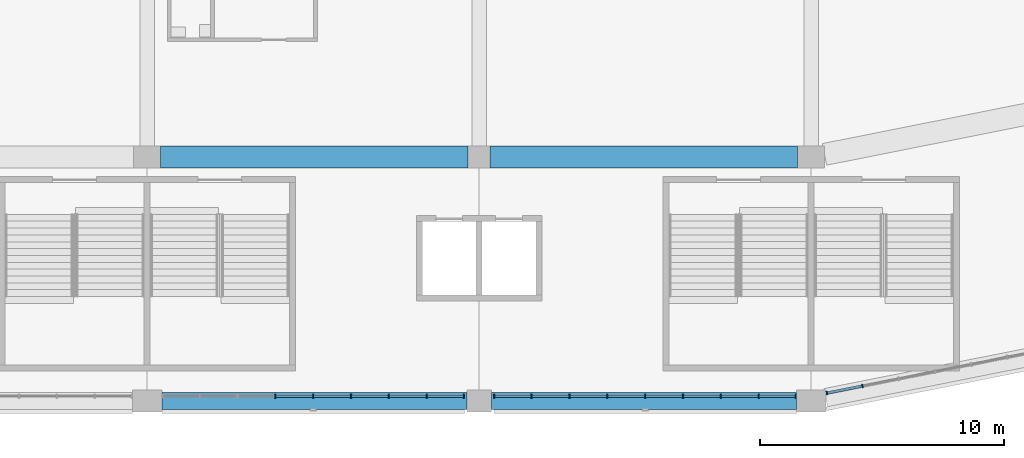
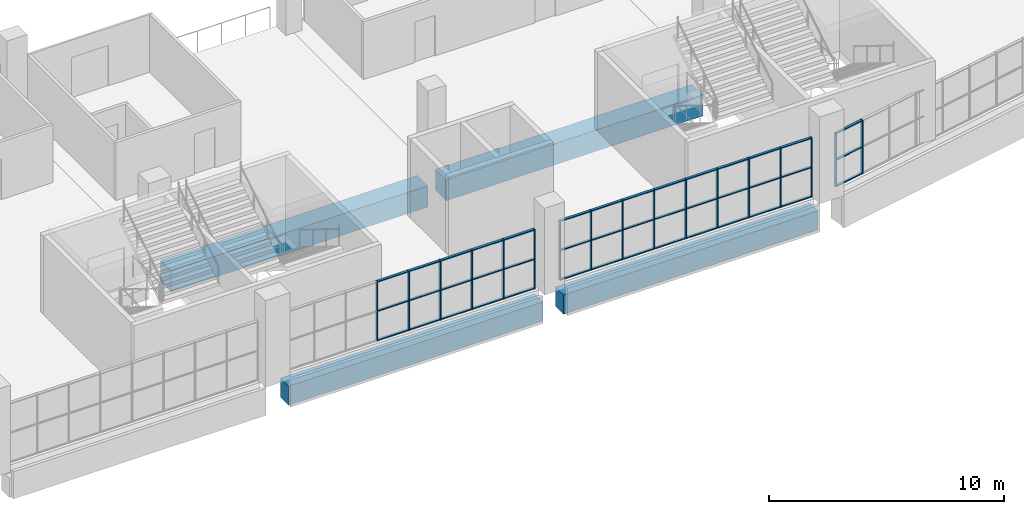
# One storey, part 14 of 199: 59 members, 4 beams, 3 elements without a shape of their own.
"""IFC4 building model written with IfcOpenShell, lengths in metres."""

import ifcopenshell
import ifcopenshell.guid

model = None  # the IFC model being written
_history = None  # IfcOwnerHistory: only IFC2X3 demands one
_inside = {}  # id of a spatial element -> (the spatial element, [elements in it])
_under = {}  # id of a project, library or spatial element -> (it, [spatial elements below it])
_declared = {}  # id of a project -> (the project, [libraries it declares])
_typed = {}  # id of a type object -> (the type object, [elements of that type])
_made_of = {}  # id of a material, layer set ... -> (it, [elements and type objects made of it])


def new_model(schema):
    """Start an empty IFC model of exactly this schema.

    Asked for "IFC4X3", IfcOpenShell would pick the latest addendum, in which some entities
    have other attributes; the version numbers below select the first issue.
    IFC2X3 requires an IfcOwnerHistory on every rooted entity: one is made here for all.
    """
    global model, _history
    if schema == "IFC4X3":
        model = ifcopenshell.file(schema_version=(4, 3, 0, 0))
    else:
        model = ifcopenshell.file(schema=schema)
    _inside.clear()
    _under.clear()
    _declared.clear()
    _typed.clear()
    _made_of.clear()
    _history = None
    if model.schema == "IFC2X3":
        org = make("IfcOrganization", Name="unknown")
        user = make(
            "IfcPersonAndOrganization",
            ThePerson=make("IfcPerson", FamilyName="unknown"),
            TheOrganization=org,
        )
        app = make(
            "IfcApplication",
            ApplicationDeveloper=org,
            Version="unknown",
            ApplicationFullName="unknown",
            ApplicationIdentifier="unknown",
        )
        _history = make(
            "IfcOwnerHistory",
            OwningUser=user,
            OwningApplication=app,
            ChangeAction="ADDED",
            CreationDate=0,
        )
    return model


def make(cls, **values):
    """One entity of the class cls with the attributes given. An attribute that is None is left unset."""
    return model.create_entity(
        cls, **{name: value for name, value in values.items() if value is not None}
    )


def rooted(cls, **values):
    """An entity with a GlobalId (a new one), such as an element, a storey or a relation."""
    return make(cls, GlobalId=ifcopenshell.guid.new(), OwnerHistory=_history, **values)


def si_unit(unit_type, name, prefix=None):
    """IfcSIUnit, for example si_unit("LENGTHUNIT", "METRE", prefix="MILLI")."""
    return make("IfcSIUnit", UnitType=unit_type, Prefix=prefix, Name=name)


def assignment(units):
    """IfcUnitAssignment: the units of a project."""
    return None if units is None else make("IfcUnitAssignment", Units=units)


def point(xyz):
    """IfcCartesianPoint."""
    return None if xyz is None else make("IfcCartesianPoint", Coordinates=xyz)


def direction(xyz):
    """IfcDirection."""
    return None if xyz is None else make("IfcDirection", DirectionRatios=xyz)


def frame(location, z_axis=None, x_axis=None):
    """IfcAxis2Placement3D, a coordinate frame: its origin and axes. An axis left out is left unset."""
    return make(
        "IfcAxis2Placement3D",
        Location=point(location),
        Axis=direction(z_axis),
        RefDirection=direction(x_axis),
    )


def frame_2d(location, x_axis=None):
    """IfcAxis2Placement2D, a coordinate frame in the plane: its origin and x axis."""
    return make(
        "IfcAxis2Placement2D", Location=point(location), RefDirection=direction(x_axis)
    )


def origin():
    """The frame at (0, 0, 0) with its axes left unset."""
    return frame((0.0, 0.0, 0.0))


def origin_2d():
    """The frame at (0, 0) in the plane with its x axis left unset."""
    return frame_2d((0.0, 0.0))


def place(relative_to, where):
    """IfcLocalPlacement: puts the frame where relative to a parent placement (None: the world)."""
    return make(
        "IfcLocalPlacement", PlacementRelTo=relative_to, RelativePlacement=where
    )


def context(
    kind, dimensions, precision=None, world=None, true_north=None, identifier=None
):
    """IfcGeometricRepresentationContext, for example the 3D "Model" context."""
    return make(
        "IfcGeometricRepresentationContext",
        ContextIdentifier=identifier,
        ContextType=kind,
        CoordinateSpaceDimension=dimensions,
        Precision=precision,
        WorldCoordinateSystem=world,
        TrueNorth=true_north,
    )


def subcontext(parent, identifier, kind, view, scale=None):
    """IfcGeometricRepresentationSubContext, for example "Body" below "Model"."""
    return make(
        "IfcGeometricRepresentationSubContext",
        ContextIdentifier=identifier,
        ContextType=kind,
        ParentContext=parent,
        TargetScale=scale,
        TargetView=view,
    )


def project(units=None, contexts=None):
    """IfcProject with its units and contexts."""
    return rooted(
        "IfcProject",
        Name="project",
        RepresentationContexts=contexts,
        UnitsInContext=assignment(units),
    )


def spatial(cls, under=None, at=None, **own):
    """A site, building, storey or space (cls), placed at a placement, below another one or the project."""
    s = rooted(cls, ObjectPlacement=at, **own)
    if under is not None:
        _under.setdefault(under.id(), (under, []))[1].append(s)
    return s


def profile(cls, at=None, kind="AREA", **sizes):
    """A parametric profile (cls). Its sizes go by their IFC names, for example OverallWidth=200.0."""
    return make(cls, ProfileType=kind, Position=at, **sizes)


def rectangle(**sizes):
    """IfcRectangleProfileDef."""
    return profile("IfcRectangleProfileDef", **sizes)


def extrude(swept, where, along, depth):
    """IfcExtrudedAreaSolid: the profile swept, set in the frame where, extruded along a direction by depth."""
    return make(
        "IfcExtrudedAreaSolid",
        SweptArea=swept,
        Position=where,
        ExtrudedDirection=direction(along),
        Depth=depth,
    )


def shape(context_of_items, identifier, shape_type, items):
    """IfcShapeRepresentation: the items that make up one representation, for example the "Body"."""
    return make(
        "IfcShapeRepresentation",
        ContextOfItems=context_of_items,
        RepresentationIdentifier=identifier,
        RepresentationType=shape_type,
        Items=items,
    )


def material(Name=None, Category=None):
    """IfcMaterial."""
    return make("IfcMaterial", Name=Name, Category=Category)


def material_profile(
    of_material, cross_section, Name=None, Category=None, Priority=None
):
    """IfcMaterialProfile: a cross section and its material."""
    return make(
        "IfcMaterialProfile",
        Name=Name,
        Material=of_material,
        Profile=cross_section,
        Priority=Priority,
        Category=Category,
    )


def profile_set(profiles, Name=None, composite=None):
    """IfcMaterialProfileSet."""
    return make(
        "IfcMaterialProfileSet",
        Name=Name,
        MaterialProfiles=profiles,
        CompositeProfile=composite,
    )


def made_of(thing, what):
    """Note that an element or type object is made of a material, layer set ...; save() writes the relation."""
    if what is not None:
        _made_of.setdefault(what.id(), (what, []))[1].append(thing)
    return thing


def type_object(cls, material=None, **own):
    """A type object (cls), such as IfcWallType, which elements share."""
    return made_of(rooted(cls, **own), material)


def element(
    cls,
    number,
    at=None,
    inside=None,
    cuts=None,
    type_object=None,
    material=None,
    context=None,
    identifier="Body",
    shape_type=None,
    held_by="IfcProductDefinitionShape",
    body=None,
    shapes=None,
    **own,
):
    """One element of the class cls, such as IfcWall. Its Tag is "e" and its number.

    at: its placement. inside: the storey or other place that contains it. cuts: it is an
    opening in that element (IfcRelVoidsElement). A single representation is given by context,
    identifier, shape_type and body (its items); several are given by shapes. held_by: the class
    of the entity that holds the representations. save() writes the other relations.
    """
    e = rooted(cls, Tag="e%d" % number, ObjectPlacement=at, **own)
    if body is not None:
        shapes = [shape(context, identifier, shape_type, body)]
    if shapes is not None:
        e.Representation = make(held_by, Representations=shapes)
    if inside is not None:
        _inside.setdefault(inside.id(), (inside, []))[1].append(e)
    if cuts is not None:
        rooted(
            "IfcRelVoidsElement", RelatingBuildingElement=cuts, RelatedOpeningElement=e
        )
    if type_object is not None:
        _typed.setdefault(type_object.id(), (type_object, []))[1].append(e)
    return made_of(e, material)


def aggregate(whole, parts):
    """IfcRelAggregates: a whole, such as a stair, and the parts it consists of."""
    return rooted("IfcRelAggregates", RelatingObject=whole, RelatedObjects=parts)


def save(model, path):
    """Write the relations noted so far, then the file.

    IfcRelAggregates (storeys below a building ...), IfcRelContainedInSpatialStructure (elements
    in a storey), IfcRelDefinesByType, IfcRelAssociatesMaterial and IfcRelDeclares: one each for
    every whole, place, type object, material and project.
    """
    for whole, parts in _under.values():
        aggregate(whole, parts)
    for where, things in _inside.values():
        rooted(
            "IfcRelContainedInSpatialStructure",
            RelatedElements=things,
            RelatingStructure=where,
        )
    for kind, things in _typed.values():
        rooted("IfcRelDefinesByType", RelatedObjects=things, RelatingType=kind)
    for what, things in _made_of.values():
        rooted("IfcRelAssociatesMaterial", RelatedObjects=things, RelatingMaterial=what)
    for by, libraries in _declared.values():
        rooted("IfcRelDeclares", RelatingContext=by, RelatedDefinitions=libraries)
    model.write(path)


model = new_model("IFC4")

# Units and contexts
model_context = context("Model", 3, precision=1e-05, world=origin(), true_north=direction((0.0, 1.0)))
body_context = subcontext(model_context, "Body", "Model", "MODEL_VIEW")
ifc_project = project(units=[si_unit("LENGTHUNIT", "METRE"), si_unit("AREAUNIT", "SQUARE_METRE"), si_unit("VOLUMEUNIT", "CUBIC_METRE"), si_unit("PLANEANGLEUNIT", "RADIAN"), si_unit("MASSUNIT", "GRAM", prefix="KILO")], contexts=[model_context])

# Site, building, storey
site_placement = place(None, origin())
site = spatial("IfcSite", under=ifc_project, at=site_placement, CompositionType="ELEMENT")
building_placement = place(site_placement, origin())
building = spatial("IfcBuilding", under=site, at=building_placement, Name="Ogive Plaza Stadium", CompositionType="ELEMENT")
storey_placement = place(building_placement, frame((0.0, 0.0, 9.0)))
storey = spatial("IfcBuildingStorey", under=building, at=storey_placement, Name="L02", CompositionType="ELEMENT", Elevation=9.0)

# Curtain wall, members
ifc_material_1 = material(Name="Bronze-anodised aluminium with laminated glass", Category="aluminium")
curtain_wall_type = type_object("IfcCurtainWallType", Name="Lancet curtain wall", PredefinedType="NOTDEFINED", material=ifc_material_1)
curtain_wall_1_placement = place(storey_placement, origin())
curtain_wall_1 = element("IfcCurtainWall", 1, at=curtain_wall_1_placement, inside=storey, type_object=curtain_wall_type, Name="CURTAIN WALL B11 L02", PredefinedType="NOTDEFINED")
ifc_material_2 = material(Name="Bronze-anodised aluminium", Category="aluminium")
ifc_material_profile_1 = material_profile(ifc_material_2, rectangle(XDim=0.14990234375, YDim=0.050048828125, at=origin_2d()), Name="AL 150x50")
ifc_profile_set_1 = profile_set([ifc_material_profile_1], Name="Bronze-anodised aluminium")
member_type_1 = type_object("IfcMemberType", Name="Curtain wall mullion 50x150", PredefinedType="MULLION", material=ifc_profile_set_1)
member_1_placement = place(storey_placement, frame((36.104248046875, -101.87744140625, 0.0), z_axis=(0.0, 0.0, 1.0), x_axis=(0.195090322016, -0.980785280403, 0.0)))
member_1 = element("IfcMember", 2, at=member_1_placement, type_object=member_type_1, Name="CW-B11-L02 mullion 12", PredefinedType="MULLION", context=body_context, shape_type="SweptSolid", body=[
    extrude(rectangle(XDim=0.14990234375, YDim=0.050048828125, at=origin_2d()), origin(), (0.0, 0.0, 1.0), 2.7900390625),
])
member_2_placement = place(storey_placement, frame((34.64404296875, -102.16796875, 0.0), z_axis=(0.0, 0.0, 1.0), x_axis=(0.195090322016, -0.980785280403, 0.0)))
member_2 = element("IfcMember", 3, at=member_2_placement, type_object=member_type_1, Name="CW-B11-L02 mullion 13", PredefinedType="MULLION", context=body_context, shape_type="SweptSolid", body=[
    extrude(rectangle(XDim=0.14990234375, YDim=0.050048828125, at=origin_2d()), origin(), (0.0, 0.0, 1.0), 2.7900390625),
])

curtain_wall_2_placement = place(storey_placement, origin())
curtain_wall_2 = element("IfcCurtainWall", 4, at=curtain_wall_2_placement, inside=storey, type_object=curtain_wall_type, Name="CURTAIN WALL B12 L02", PredefinedType="NOTDEFINED")
member_3_placement = place(storey_placement, frame((33.375, -102.300048828125, 0.0), z_axis=(0.0, 0.0, 1.0), x_axis=(0.0, -1.0, 0.0)))
member_3 = element("IfcMember", 5, at=member_3_placement, type_object=member_type_1, Name="CW-B12-L02 mullion 1", PredefinedType="MULLION", context=body_context, shape_type="SweptSolid", body=[
    extrude(rectangle(XDim=0.14990234375, YDim=0.050048828125, at=origin_2d()), origin(), (0.0, 0.0, 1.0), 3.090087890625),
])
member_4_placement = place(storey_placement, frame((31.85009765625, -102.300048828125, 0.0), z_axis=(0.0, 0.0, 1.0), x_axis=(0.0, -1.0, 0.0)))
member_4 = element("IfcMember", 6, at=member_4_placement, type_object=member_type_1, Name="CW-B12-L02 mullion 2", PredefinedType="MULLION", context=body_context, shape_type="SweptSolid", body=[
    extrude(rectangle(XDim=0.14990234375, YDim=0.050048828125, at=origin_2d()), origin(), (0.0, 0.0, 1.0), 3.090087890625),
])
member_5_placement = place(storey_placement, frame((30.300048828125, -102.300048828125, 0.0), z_axis=(0.0, 0.0, 1.0), x_axis=(0.0, -1.0, 0.0)))
member_5 = element("IfcMember", 7, at=member_5_placement, type_object=member_type_1, Name="CW-B12-L02 mullion 3", PredefinedType="MULLION", context=body_context, shape_type="SweptSolid", body=[
    extrude(rectangle(XDim=0.14990234375, YDim=0.050048828125, at=origin_2d()), origin(), (0.0, 0.0, 1.0), 3.090087890625),
])
member_6_placement = place(storey_placement, frame((28.75, -102.300048828125, 0.0), z_axis=(0.0, 0.0, 1.0), x_axis=(0.0, -1.0, 0.0)))
member_6 = element("IfcMember", 8, at=member_6_placement, type_object=member_type_1, Name="CW-B12-L02 mullion 4", PredefinedType="MULLION", context=body_context, shape_type="SweptSolid", body=[
    extrude(rectangle(XDim=0.14990234375, YDim=0.050048828125, at=origin_2d()), origin(), (0.0, 0.0, 1.0), 3.090087890625),
])
member_7_placement = place(storey_placement, frame((27.199951171875, -102.300048828125, 0.0), z_axis=(0.0, 0.0, 1.0), x_axis=(0.0, -1.0, 0.0)))
member_7 = element("IfcMember", 9, at=member_7_placement, type_object=member_type_1, Name="CW-B12-L02 mullion 5", PredefinedType="MULLION", context=body_context, shape_type="SweptSolid", body=[
    extrude(rectangle(XDim=0.14990234375, YDim=0.050048828125, at=origin_2d()), origin(), (0.0, 0.0, 1.0), 3.090087890625),
])
member_8_placement = place(storey_placement, frame((25.64990234375, -102.300048828125, 0.0), z_axis=(0.0, 0.0, 1.0), x_axis=(0.0, -1.0, 0.0)))
member_8 = element("IfcMember", 10, at=member_8_placement, type_object=member_type_1, Name="CW-B12-L02 mullion 6", PredefinedType="MULLION", context=body_context, shape_type="SweptSolid", body=[
    extrude(rectangle(XDim=0.14990234375, YDim=0.050048828125, at=origin_2d()), origin(), (0.0, 0.0, 1.0), 3.090087890625),
])
member_9_placement = place(storey_placement, frame((24.10009765625, -102.300048828125, 0.0), z_axis=(0.0, 0.0, 1.0), x_axis=(0.0, -1.0, 0.0)))
member_9 = element("IfcMember", 11, at=member_9_placement, type_object=member_type_1, Name="CW-B12-L02 mullion 7", PredefinedType="MULLION", context=body_context, shape_type="SweptSolid", body=[
    extrude(rectangle(XDim=0.14990234375, YDim=0.050048828125, at=origin_2d()), origin(), (0.0, 0.0, 1.0), 3.090087890625),
])
member_10_placement = place(storey_placement, frame((22.550048828125, -102.300048828125, 0.0), z_axis=(0.0, 0.0, 1.0), x_axis=(0.0, -1.0, 0.0)))
member_10 = element("IfcMember", 12, at=member_10_placement, type_object=member_type_1, Name="CW-B12-L02 mullion 8", PredefinedType="MULLION", context=body_context, shape_type="SweptSolid", body=[
    extrude(rectangle(XDim=0.14990234375, YDim=0.050048828125, at=origin_2d()), origin(), (0.0, 0.0, 1.0), 3.090087890625),
])
member_11_placement = place(storey_placement, frame((21.02490234375, -102.300048828125, 0.0), z_axis=(0.0, 0.0, 1.0), x_axis=(0.0, -1.0, 0.0)))
member_11 = element("IfcMember", 13, at=member_11_placement, type_object=member_type_1, Name="CW-B12-L02 mullion 9", PredefinedType="MULLION", context=body_context, shape_type="SweptSolid", body=[
    extrude(rectangle(XDim=0.14990234375, YDim=0.050048828125, at=origin_2d()), origin(), (0.0, 0.0, 1.0), 3.090087890625),
])

curtain_wall_3_placement = place(storey_placement, origin())
curtain_wall_3 = element("IfcCurtainWall", 14, at=curtain_wall_3_placement, inside=storey, type_object=curtain_wall_type, Name="CURTAIN WALL B13 L02", PredefinedType="NOTDEFINED")
member_12_placement = place(storey_placement, frame((19.77490234375, -102.300048828125, 0.0), z_axis=(0.0, 0.0, 1.0), x_axis=(0.0, -1.0, 0.0)))
member_12 = element("IfcMember", 15, at=member_12_placement, type_object=member_type_1, Name="CW-B13-L02 mullion 1", PredefinedType="MULLION", context=body_context, shape_type="SweptSolid", body=[
    extrude(rectangle(XDim=0.14990234375, YDim=0.050048828125, at=origin_2d()), origin(), (0.0, 0.0, 1.0), 3.090087890625),
])
member_13_placement = place(storey_placement, frame((18.25, -102.300048828125, 0.0), z_axis=(0.0, 0.0, 1.0), x_axis=(0.0, -1.0, 0.0)))
member_13 = element("IfcMember", 16, at=member_13_placement, type_object=member_type_1, Name="CW-B13-L02 mullion 2", PredefinedType="MULLION", context=body_context, shape_type="SweptSolid", body=[
    extrude(rectangle(XDim=0.14990234375, YDim=0.050048828125, at=origin_2d()), origin(), (0.0, 0.0, 1.0), 3.090087890625),
])
member_14_placement = place(storey_placement, frame((16.699951171875, -102.300048828125, 0.0), z_axis=(0.0, 0.0, 1.0), x_axis=(0.0, -1.0, 0.0)))
member_14 = element("IfcMember", 17, at=member_14_placement, type_object=member_type_1, Name="CW-B13-L02 mullion 3", PredefinedType="MULLION", context=body_context, shape_type="SweptSolid", body=[
    extrude(rectangle(XDim=0.14990234375, YDim=0.050048828125, at=origin_2d()), origin(), (0.0, 0.0, 1.0), 3.090087890625),
])
member_15_placement = place(storey_placement, frame((15.14990234375, -102.300048828125, 0.0), z_axis=(0.0, 0.0, 1.0), x_axis=(0.0, -1.0, 0.0)))
member_15 = element("IfcMember", 18, at=member_15_placement, type_object=member_type_1, Name="CW-B13-L02 mullion 4", PredefinedType="MULLION", context=body_context, shape_type="SweptSolid", body=[
    extrude(rectangle(XDim=0.14990234375, YDim=0.050048828125, at=origin_2d()), origin(), (0.0, 0.0, 1.0), 3.090087890625),
])
member_16_placement = place(storey_placement, frame((13.60009765625, -102.300048828125, 0.0), z_axis=(0.0, 0.0, 1.0), x_axis=(0.0, -1.0, 0.0)))
member_16 = element("IfcMember", 19, at=member_16_placement, type_object=member_type_1, Name="CW-B13-L02 mullion 5", PredefinedType="MULLION", context=body_context, shape_type="SweptSolid", body=[
    extrude(rectangle(XDim=0.14990234375, YDim=0.050048828125, at=origin_2d()), origin(), (0.0, 0.0, 1.0), 3.090087890625),
])
member_17_placement = place(storey_placement, frame((12.050048828125, -102.300048828125, 0.0), z_axis=(0.0, 0.0, 1.0), x_axis=(0.0, -1.0, 0.0)))
member_17 = element("IfcMember", 20, at=member_17_placement, type_object=member_type_1, Name="CW-B13-L02 mullion 6", PredefinedType="MULLION", context=body_context, shape_type="SweptSolid", body=[
    extrude(rectangle(XDim=0.14990234375, YDim=0.050048828125, at=origin_2d()), origin(), (0.0, 0.0, 1.0), 3.090087890625),
])

# Member
ifc_material_3 = material(Name="Bronze-anodised aluminium", Category="aluminium")
ifc_material_profile_2 = material_profile(ifc_material_3, rectangle(XDim=0.1201171875, YDim=0.050048828125, at=origin_2d()), Name="AL 120x50")
ifc_profile_set_2 = profile_set([ifc_material_profile_2], Name="Bronze-anodised aluminium")
member_type_2 = type_object("IfcMemberType", Name="Curtain wall transom 50x120", PredefinedType="USERDEFINED", material=ifc_profile_set_2)
member_18_placement = place(storey_placement, frame((36.079833984375, -101.88232421875, 0.02490234375), z_axis=(-0.980782436465, -0.195104618913, 0.0), x_axis=(0.195104618913, -0.980782436465, 0.0)))
member_18 = element("IfcMember", 21, at=member_18_placement, type_object=member_type_2, Name="CW-B11-L02 transom 12.1", ObjectType="TRANSOM", PredefinedType="USERDEFINED", context=body_context, shape_type="SweptSolid", body=[
    extrude(rectangle(XDim=0.1201171875, YDim=0.050048828125, at=origin_2d()), origin(), (0.0, 0.0, 1.0), 1.43896484375),
])

member_19_placement = place(storey_placement, frame((36.079833984375, -101.88232421875, 1.39501953125), z_axis=(-0.980782436465, -0.195104618913, 0.0), x_axis=(0.195104618913, -0.980782436465, 0.0)))
member_19 = element("IfcMember", 22, at=member_19_placement, type_object=member_type_2, Name="CW-B11-L02 transom 12.2", ObjectType="TRANSOM", PredefinedType="USERDEFINED", context=body_context, shape_type="SweptSolid", body=[
    extrude(rectangle(XDim=0.1201171875, YDim=0.050048828125, at=origin_2d()), origin(), (0.0, 0.0, 1.0), 1.43896484375),
])

member_20_placement = place(storey_placement, frame((36.079833984375, -101.88232421875, 2.764892578125), z_axis=(-0.980782436465, -0.195104618913, 0.0), x_axis=(0.195104618913, -0.980782436465, 0.0)))
member_20 = element("IfcMember", 23, at=member_20_placement, type_object=member_type_2, Name="CW-B11-L02 transom 12.3", ObjectType="TRANSOM", PredefinedType="USERDEFINED", context=body_context, shape_type="SweptSolid", body=[
    extrude(rectangle(XDim=0.1201171875, YDim=0.050048828125, at=origin_2d()), origin(), (0.0, 0.0, 1.0), 1.43896484375),
])

aggregate(curtain_wall_1, [member_1, member_2, member_18, member_19, member_20])

member_21_placement = place(storey_placement, frame((33.35009765625, -102.300048828125, 0.02490234375), z_axis=(-1.0, 0.0, 0.0), x_axis=(0.0, -1.0, 0.0)))
member_21 = element("IfcMember", 24, at=member_21_placement, type_object=member_type_2, Name="CW-B12-L02 transom 1.1", ObjectType="TRANSOM", PredefinedType="USERDEFINED", context=body_context, shape_type="SweptSolid", body=[
    extrude(rectangle(XDim=0.1201171875, YDim=0.050048828125, at=origin_2d()), origin(), (0.0, 0.0, 1.0), 1.47509765625),
])

member_22_placement = place(storey_placement, frame((33.35009765625, -102.300048828125, 1.544921875), z_axis=(-1.0, 0.0, 0.0), x_axis=(0.0, -1.0, 0.0)))
member_22 = element("IfcMember", 25, at=member_22_placement, type_object=member_type_2, Name="CW-B12-L02 transom 1.2", ObjectType="TRANSOM", PredefinedType="USERDEFINED", context=body_context, shape_type="SweptSolid", body=[
    extrude(rectangle(XDim=0.1201171875, YDim=0.050048828125, at=origin_2d()), origin(), (0.0, 0.0, 1.0), 1.47509765625),
])

member_23_placement = place(storey_placement, frame((33.35009765625, -102.300048828125, 3.06494140625), z_axis=(-1.0, 0.0, 0.0), x_axis=(0.0, -1.0, 0.0)))
member_23 = element("IfcMember", 26, at=member_23_placement, type_object=member_type_2, Name="CW-B12-L02 transom 1.3", ObjectType="TRANSOM", PredefinedType="USERDEFINED", context=body_context, shape_type="SweptSolid", body=[
    extrude(rectangle(XDim=0.1201171875, YDim=0.050048828125, at=origin_2d()), origin(), (0.0, 0.0, 1.0), 1.47509765625),
])

member_24_placement = place(storey_placement, frame((31.824951171875, -102.300048828125, 0.02490234375), z_axis=(-1.0, 0.0, 0.0), x_axis=(0.0, -1.0, 0.0)))
member_24 = element("IfcMember", 27, at=member_24_placement, type_object=member_type_2, Name="CW-B12-L02 transom 2.1", ObjectType="TRANSOM", PredefinedType="USERDEFINED", context=body_context, shape_type="SweptSolid", body=[
    extrude(rectangle(XDim=0.1201171875, YDim=0.050048828125, at=origin_2d()), origin(), (0.0, 0.0, 1.0), 1.5),
])

member_25_placement = place(storey_placement, frame((31.824951171875, -102.300048828125, 1.544921875), z_axis=(-1.0, 0.0, 0.0), x_axis=(0.0, -1.0, 0.0)))
member_25 = element("IfcMember", 28, at=member_25_placement, type_object=member_type_2, Name="CW-B12-L02 transom 2.2", ObjectType="TRANSOM", PredefinedType="USERDEFINED", context=body_context, shape_type="SweptSolid", body=[
    extrude(rectangle(XDim=0.1201171875, YDim=0.050048828125, at=origin_2d()), origin(), (0.0, 0.0, 1.0), 1.5),
])

member_26_placement = place(storey_placement, frame((31.824951171875, -102.300048828125, 3.06494140625), z_axis=(-1.0, 0.0, 0.0), x_axis=(0.0, -1.0, 0.0)))
member_26 = element("IfcMember", 29, at=member_26_placement, type_object=member_type_2, Name="CW-B12-L02 transom 2.3", ObjectType="TRANSOM", PredefinedType="USERDEFINED", context=body_context, shape_type="SweptSolid", body=[
    extrude(rectangle(XDim=0.1201171875, YDim=0.050048828125, at=origin_2d()), origin(), (0.0, 0.0, 1.0), 1.5),
])

member_27_placement = place(storey_placement, frame((30.27490234375, -102.300048828125, 0.02490234375), z_axis=(-1.0, 0.0, 0.0), x_axis=(0.0, -1.0, 0.0)))
member_27 = element("IfcMember", 30, at=member_27_placement, type_object=member_type_2, Name="CW-B12-L02 transom 3.1", ObjectType="TRANSOM", PredefinedType="USERDEFINED", context=body_context, shape_type="SweptSolid", body=[
    extrude(rectangle(XDim=0.1201171875, YDim=0.050048828125, at=origin_2d()), origin(), (0.0, 0.0, 1.0), 1.5),
])

member_28_placement = place(storey_placement, frame((30.27490234375, -102.300048828125, 1.544921875), z_axis=(-1.0, 0.0, 0.0), x_axis=(0.0, -1.0, 0.0)))
member_28 = element("IfcMember", 31, at=member_28_placement, type_object=member_type_2, Name="CW-B12-L02 transom 3.2", ObjectType="TRANSOM", PredefinedType="USERDEFINED", context=body_context, shape_type="SweptSolid", body=[
    extrude(rectangle(XDim=0.1201171875, YDim=0.050048828125, at=origin_2d()), origin(), (0.0, 0.0, 1.0), 1.5),
])

member_29_placement = place(storey_placement, frame((30.27490234375, -102.300048828125, 3.06494140625), z_axis=(-1.0, 0.0, 0.0), x_axis=(0.0, -1.0, 0.0)))
member_29 = element("IfcMember", 32, at=member_29_placement, type_object=member_type_2, Name="CW-B12-L02 transom 3.3", ObjectType="TRANSOM", PredefinedType="USERDEFINED", context=body_context, shape_type="SweptSolid", body=[
    extrude(rectangle(XDim=0.1201171875, YDim=0.050048828125, at=origin_2d()), origin(), (0.0, 0.0, 1.0), 1.5),
])

member_30_placement = place(storey_placement, frame((28.72509765625, -102.300048828125, 0.02490234375), z_axis=(-1.0, 0.0, 0.0), x_axis=(0.0, -1.0, 0.0)))
member_30 = element("IfcMember", 33, at=member_30_placement, type_object=member_type_2, Name="CW-B12-L02 transom 4.1", ObjectType="TRANSOM", PredefinedType="USERDEFINED", context=body_context, shape_type="SweptSolid", body=[
    extrude(rectangle(XDim=0.1201171875, YDim=0.050048828125, at=origin_2d()), origin(), (0.0, 0.0, 1.0), 1.5),
])

member_31_placement = place(storey_placement, frame((28.72509765625, -102.300048828125, 1.544921875), z_axis=(-1.0, 0.0, 0.0), x_axis=(0.0, -1.0, 0.0)))
member_31 = element("IfcMember", 34, at=member_31_placement, type_object=member_type_2, Name="CW-B12-L02 transom 4.2", ObjectType="TRANSOM", PredefinedType="USERDEFINED", context=body_context, shape_type="SweptSolid", body=[
    extrude(rectangle(XDim=0.1201171875, YDim=0.050048828125, at=origin_2d()), origin(), (0.0, 0.0, 1.0), 1.5),
])

member_32_placement = place(storey_placement, frame((28.72509765625, -102.300048828125, 3.06494140625), z_axis=(-1.0, 0.0, 0.0), x_axis=(0.0, -1.0, 0.0)))
member_32 = element("IfcMember", 35, at=member_32_placement, type_object=member_type_2, Name="CW-B12-L02 transom 4.3", ObjectType="TRANSOM", PredefinedType="USERDEFINED", context=body_context, shape_type="SweptSolid", body=[
    extrude(rectangle(XDim=0.1201171875, YDim=0.050048828125, at=origin_2d()), origin(), (0.0, 0.0, 1.0), 1.5),
])

member_33_placement = place(storey_placement, frame((27.175048828125, -102.300048828125, 0.02490234375), z_axis=(-1.0, 0.0, 0.0), x_axis=(0.0, -1.0, 0.0)))
member_33 = element("IfcMember", 36, at=member_33_placement, type_object=member_type_2, Name="CW-B12-L02 transom 5.1", ObjectType="TRANSOM", PredefinedType="USERDEFINED", context=body_context, shape_type="SweptSolid", body=[
    extrude(rectangle(XDim=0.1201171875, YDim=0.050048828125, at=origin_2d()), origin(), (0.0, 0.0, 1.0), 1.5),
])

member_34_placement = place(storey_placement, frame((27.175048828125, -102.300048828125, 1.544921875), z_axis=(-1.0, 0.0, 0.0), x_axis=(0.0, -1.0, 0.0)))
member_34 = element("IfcMember", 37, at=member_34_placement, type_object=member_type_2, Name="CW-B12-L02 transom 5.2", ObjectType="TRANSOM", PredefinedType="USERDEFINED", context=body_context, shape_type="SweptSolid", body=[
    extrude(rectangle(XDim=0.1201171875, YDim=0.050048828125, at=origin_2d()), origin(), (0.0, 0.0, 1.0), 1.5),
])

member_35_placement = place(storey_placement, frame((27.175048828125, -102.300048828125, 3.06494140625), z_axis=(-1.0, 0.0, 0.0), x_axis=(0.0, -1.0, 0.0)))
member_35 = element("IfcMember", 38, at=member_35_placement, type_object=member_type_2, Name="CW-B12-L02 transom 5.3", ObjectType="TRANSOM", PredefinedType="USERDEFINED", context=body_context, shape_type="SweptSolid", body=[
    extrude(rectangle(XDim=0.1201171875, YDim=0.050048828125, at=origin_2d()), origin(), (0.0, 0.0, 1.0), 1.5),
])

member_36_placement = place(storey_placement, frame((25.625, -102.300048828125, 0.02490234375), z_axis=(-1.0, 0.0, 0.0), x_axis=(0.0, -1.0, 0.0)))
member_36 = element("IfcMember", 39, at=member_36_placement, type_object=member_type_2, Name="CW-B12-L02 transom 6.1", ObjectType="TRANSOM", PredefinedType="USERDEFINED", context=body_context, shape_type="SweptSolid", body=[
    extrude(rectangle(XDim=0.1201171875, YDim=0.050048828125, at=origin_2d()), origin(), (0.0, 0.0, 1.0), 1.5),
])

member_37_placement = place(storey_placement, frame((25.625, -102.300048828125, 1.544921875), z_axis=(-1.0, 0.0, 0.0), x_axis=(0.0, -1.0, 0.0)))
member_37 = element("IfcMember", 40, at=member_37_placement, type_object=member_type_2, Name="CW-B12-L02 transom 6.2", ObjectType="TRANSOM", PredefinedType="USERDEFINED", context=body_context, shape_type="SweptSolid", body=[
    extrude(rectangle(XDim=0.1201171875, YDim=0.050048828125, at=origin_2d()), origin(), (0.0, 0.0, 1.0), 1.5),
])

member_38_placement = place(storey_placement, frame((25.625, -102.300048828125, 3.06494140625), z_axis=(-1.0, 0.0, 0.0), x_axis=(0.0, -1.0, 0.0)))
member_38 = element("IfcMember", 41, at=member_38_placement, type_object=member_type_2, Name="CW-B12-L02 transom 6.3", ObjectType="TRANSOM", PredefinedType="USERDEFINED", context=body_context, shape_type="SweptSolid", body=[
    extrude(rectangle(XDim=0.1201171875, YDim=0.050048828125, at=origin_2d()), origin(), (0.0, 0.0, 1.0), 1.5),
])

member_39_placement = place(storey_placement, frame((24.074951171875, -102.300048828125, 0.02490234375), z_axis=(-1.0, 0.0, 0.0), x_axis=(0.0, -1.0, 0.0)))
member_39 = element("IfcMember", 42, at=member_39_placement, type_object=member_type_2, Name="CW-B12-L02 transom 7.1", ObjectType="TRANSOM", PredefinedType="USERDEFINED", context=body_context, shape_type="SweptSolid", body=[
    extrude(rectangle(XDim=0.1201171875, YDim=0.050048828125, at=origin_2d()), origin(), (0.0, 0.0, 1.0), 1.5),
])

member_40_placement = place(storey_placement, frame((24.074951171875, -102.300048828125, 1.544921875), z_axis=(-1.0, 0.0, 0.0), x_axis=(0.0, -1.0, 0.0)))
member_40 = element("IfcMember", 43, at=member_40_placement, type_object=member_type_2, Name="CW-B12-L02 transom 7.2", ObjectType="TRANSOM", PredefinedType="USERDEFINED", context=body_context, shape_type="SweptSolid", body=[
    extrude(rectangle(XDim=0.1201171875, YDim=0.050048828125, at=origin_2d()), origin(), (0.0, 0.0, 1.0), 1.5),
])

member_41_placement = place(storey_placement, frame((24.074951171875, -102.300048828125, 3.06494140625), z_axis=(-1.0, 0.0, 0.0), x_axis=(0.0, -1.0, 0.0)))
member_41 = element("IfcMember", 44, at=member_41_placement, type_object=member_type_2, Name="CW-B12-L02 transom 7.3", ObjectType="TRANSOM", PredefinedType="USERDEFINED", context=body_context, shape_type="SweptSolid", body=[
    extrude(rectangle(XDim=0.1201171875, YDim=0.050048828125, at=origin_2d()), origin(), (0.0, 0.0, 1.0), 1.5),
])

member_42_placement = place(storey_placement, frame((22.52490234375, -102.300048828125, 0.02490234375), z_axis=(-1.0, 0.0, 0.0), x_axis=(0.0, -1.0, 0.0)))
member_42 = element("IfcMember", 45, at=member_42_placement, type_object=member_type_2, Name="CW-B12-L02 transom 8.1", ObjectType="TRANSOM", PredefinedType="USERDEFINED", context=body_context, shape_type="SweptSolid", body=[
    extrude(rectangle(XDim=0.1201171875, YDim=0.050048828125, at=origin_2d()), origin(), (0.0, 0.0, 1.0), 1.474853515625),
])

member_43_placement = place(storey_placement, frame((22.52490234375, -102.300048828125, 1.544921875), z_axis=(-1.0, 0.0, 0.0), x_axis=(0.0, -1.0, 0.0)))
member_43 = element("IfcMember", 46, at=member_43_placement, type_object=member_type_2, Name="CW-B12-L02 transom 8.2", ObjectType="TRANSOM", PredefinedType="USERDEFINED", context=body_context, shape_type="SweptSolid", body=[
    extrude(rectangle(XDim=0.1201171875, YDim=0.050048828125, at=origin_2d()), origin(), (0.0, 0.0, 1.0), 1.474853515625),
])

member_44_placement = place(storey_placement, frame((22.52490234375, -102.300048828125, 3.06494140625), z_axis=(-1.0, 0.0, 0.0), x_axis=(0.0, -1.0, 0.0)))
member_44 = element("IfcMember", 47, at=member_44_placement, type_object=member_type_2, Name="CW-B12-L02 transom 8.3", ObjectType="TRANSOM", PredefinedType="USERDEFINED", context=body_context, shape_type="SweptSolid", body=[
    extrude(rectangle(XDim=0.1201171875, YDim=0.050048828125, at=origin_2d()), origin(), (0.0, 0.0, 1.0), 1.474853515625),
])

aggregate(curtain_wall_2, [member_3, member_4, member_5, member_6, member_7, member_8, member_9, member_10, member_11, member_21, member_22, member_23, member_24, member_25, member_26, member_27, member_28, member_29, member_30, member_31, member_32, member_33, member_34, member_35, member_36, member_37, member_38, member_39, member_40, member_41, member_42, member_43, member_44])

member_45_placement = place(storey_placement, frame((19.75, -102.300048828125, 0.02490234375), z_axis=(-1.0, 0.0, 0.0), x_axis=(0.0, -1.0, 0.0)))
member_45 = element("IfcMember", 48, at=member_45_placement, type_object=member_type_2, Name="CW-B13-L02 transom 1.1", ObjectType="TRANSOM", PredefinedType="USERDEFINED", context=body_context, shape_type="SweptSolid", body=[
    extrude(rectangle(XDim=0.1201171875, YDim=0.050048828125, at=origin_2d()), origin(), (0.0, 0.0, 1.0), 1.47509765625),
])

member_46_placement = place(storey_placement, frame((19.75, -102.300048828125, 1.544921875), z_axis=(-1.0, 0.0, 0.0), x_axis=(0.0, -1.0, 0.0)))
member_46 = element("IfcMember", 49, at=member_46_placement, type_object=member_type_2, Name="CW-B13-L02 transom 1.2", ObjectType="TRANSOM", PredefinedType="USERDEFINED", context=body_context, shape_type="SweptSolid", body=[
    extrude(rectangle(XDim=0.1201171875, YDim=0.050048828125, at=origin_2d()), origin(), (0.0, 0.0, 1.0), 1.47509765625),
])

member_47_placement = place(storey_placement, frame((19.75, -102.300048828125, 3.06494140625), z_axis=(-1.0, 0.0, 0.0), x_axis=(0.0, -1.0, 0.0)))
member_47 = element("IfcMember", 50, at=member_47_placement, type_object=member_type_2, Name="CW-B13-L02 transom 1.3", ObjectType="TRANSOM", PredefinedType="USERDEFINED", context=body_context, shape_type="SweptSolid", body=[
    extrude(rectangle(XDim=0.1201171875, YDim=0.050048828125, at=origin_2d()), origin(), (0.0, 0.0, 1.0), 1.47509765625),
])

member_48_placement = place(storey_placement, frame((18.22509765625, -102.300048828125, 0.02490234375), z_axis=(-1.0, 0.0, 0.0), x_axis=(0.0, -1.0, 0.0)))
member_48 = element("IfcMember", 51, at=member_48_placement, type_object=member_type_2, Name="CW-B13-L02 transom 2.1", ObjectType="TRANSOM", PredefinedType="USERDEFINED", context=body_context, shape_type="SweptSolid", body=[
    extrude(rectangle(XDim=0.1201171875, YDim=0.050048828125, at=origin_2d()), origin(), (0.0, 0.0, 1.0), 1.5),
])

member_49_placement = place(storey_placement, frame((18.22509765625, -102.300048828125, 1.544921875), z_axis=(-1.0, 0.0, 0.0), x_axis=(0.0, -1.0, 0.0)))
member_49 = element("IfcMember", 52, at=member_49_placement, type_object=member_type_2, Name="CW-B13-L02 transom 2.2", ObjectType="TRANSOM", PredefinedType="USERDEFINED", context=body_context, shape_type="SweptSolid", body=[
    extrude(rectangle(XDim=0.1201171875, YDim=0.050048828125, at=origin_2d()), origin(), (0.0, 0.0, 1.0), 1.5),
])

member_50_placement = place(storey_placement, frame((18.22509765625, -102.300048828125, 3.06494140625), z_axis=(-1.0, 0.0, 0.0), x_axis=(0.0, -1.0, 0.0)))
member_50 = element("IfcMember", 53, at=member_50_placement, type_object=member_type_2, Name="CW-B13-L02 transom 2.3", ObjectType="TRANSOM", PredefinedType="USERDEFINED", context=body_context, shape_type="SweptSolid", body=[
    extrude(rectangle(XDim=0.1201171875, YDim=0.050048828125, at=origin_2d()), origin(), (0.0, 0.0, 1.0), 1.5),
])

member_51_placement = place(storey_placement, frame((16.675048828125, -102.300048828125, 0.02490234375), z_axis=(-1.0, 0.0, 0.0), x_axis=(0.0, -1.0, 0.0)))
member_51 = element("IfcMember", 54, at=member_51_placement, type_object=member_type_2, Name="CW-B13-L02 transom 3.1", ObjectType="TRANSOM", PredefinedType="USERDEFINED", context=body_context, shape_type="SweptSolid", body=[
    extrude(rectangle(XDim=0.1201171875, YDim=0.050048828125, at=origin_2d()), origin(), (0.0, 0.0, 1.0), 1.5),
])

member_52_placement = place(storey_placement, frame((16.675048828125, -102.300048828125, 1.544921875), z_axis=(-1.0, 0.0, 0.0), x_axis=(0.0, -1.0, 0.0)))
member_52 = element("IfcMember", 55, at=member_52_placement, type_object=member_type_2, Name="CW-B13-L02 transom 3.2", ObjectType="TRANSOM", PredefinedType="USERDEFINED", context=body_context, shape_type="SweptSolid", body=[
    extrude(rectangle(XDim=0.1201171875, YDim=0.050048828125, at=origin_2d()), origin(), (0.0, 0.0, 1.0), 1.5),
])

member_53_placement = place(storey_placement, frame((16.675048828125, -102.300048828125, 3.06494140625), z_axis=(-1.0, 0.0, 0.0), x_axis=(0.0, -1.0, 0.0)))
member_53 = element("IfcMember", 56, at=member_53_placement, type_object=member_type_2, Name="CW-B13-L02 transom 3.3", ObjectType="TRANSOM", PredefinedType="USERDEFINED", context=body_context, shape_type="SweptSolid", body=[
    extrude(rectangle(XDim=0.1201171875, YDim=0.050048828125, at=origin_2d()), origin(), (0.0, 0.0, 1.0), 1.5),
])

member_54_placement = place(storey_placement, frame((15.125, -102.300048828125, 0.02490234375), z_axis=(-1.0, 0.0, 0.0), x_axis=(0.0, -1.0, 0.0)))
member_54 = element("IfcMember", 57, at=member_54_placement, type_object=member_type_2, Name="CW-B13-L02 transom 4.1", ObjectType="TRANSOM", PredefinedType="USERDEFINED", context=body_context, shape_type="SweptSolid", body=[
    extrude(rectangle(XDim=0.1201171875, YDim=0.050048828125, at=origin_2d()), origin(), (0.0, 0.0, 1.0), 1.5),
])

member_55_placement = place(storey_placement, frame((15.125, -102.300048828125, 1.544921875), z_axis=(-1.0, 0.0, 0.0), x_axis=(0.0, -1.0, 0.0)))
member_55 = element("IfcMember", 58, at=member_55_placement, type_object=member_type_2, Name="CW-B13-L02 transom 4.2", ObjectType="TRANSOM", PredefinedType="USERDEFINED", context=body_context, shape_type="SweptSolid", body=[
    extrude(rectangle(XDim=0.1201171875, YDim=0.050048828125, at=origin_2d()), origin(), (0.0, 0.0, 1.0), 1.5),
])

member_56_placement = place(storey_placement, frame((15.125, -102.300048828125, 3.06494140625), z_axis=(-1.0, 0.0, 0.0), x_axis=(0.0, -1.0, 0.0)))
member_56 = element("IfcMember", 59, at=member_56_placement, type_object=member_type_2, Name="CW-B13-L02 transom 4.3", ObjectType="TRANSOM", PredefinedType="USERDEFINED", context=body_context, shape_type="SweptSolid", body=[
    extrude(rectangle(XDim=0.1201171875, YDim=0.050048828125, at=origin_2d()), origin(), (0.0, 0.0, 1.0), 1.5),
])

member_57_placement = place(storey_placement, frame((13.574951171875, -102.300048828125, 0.02490234375), z_axis=(-1.0, 0.0, 0.0), x_axis=(0.0, -1.0, 0.0)))
member_57 = element("IfcMember", 60, at=member_57_placement, type_object=member_type_2, Name="CW-B13-L02 transom 5.1", ObjectType="TRANSOM", PredefinedType="USERDEFINED", context=body_context, shape_type="SweptSolid", body=[
    extrude(rectangle(XDim=0.1201171875, YDim=0.050048828125, at=origin_2d()), origin(), (0.0, 0.0, 1.0), 1.5),
])

member_58_placement = place(storey_placement, frame((13.574951171875, -102.300048828125, 1.544921875), z_axis=(-1.0, 0.0, 0.0), x_axis=(0.0, -1.0, 0.0)))
member_58 = element("IfcMember", 61, at=member_58_placement, type_object=member_type_2, Name="CW-B13-L02 transom 5.2", ObjectType="TRANSOM", PredefinedType="USERDEFINED", context=body_context, shape_type="SweptSolid", body=[
    extrude(rectangle(XDim=0.1201171875, YDim=0.050048828125, at=origin_2d()), origin(), (0.0, 0.0, 1.0), 1.5),
])

member_59_placement = place(storey_placement, frame((13.574951171875, -102.300048828125, 3.06494140625), z_axis=(-1.0, 0.0, 0.0), x_axis=(0.0, -1.0, 0.0)))
member_59 = element("IfcMember", 62, at=member_59_placement, type_object=member_type_2, Name="CW-B13-L02 transom 5.3", ObjectType="TRANSOM", PredefinedType="USERDEFINED", context=body_context, shape_type="SweptSolid", body=[
    extrude(rectangle(XDim=0.1201171875, YDim=0.050048828125, at=origin_2d()), origin(), (0.0, 0.0, 1.0), 1.5),
])

aggregate(curtain_wall_3, [member_12, member_13, member_14, member_15, member_16, member_17, member_45, member_46, member_47, member_48, member_49, member_50, member_51, member_52, member_53, member_54, member_55, member_56, member_57, member_58, member_59])

# Beams
ifc_material_4 = material(Name="Concrete C40/50", Category="concrete")
ifc_material_profile_3 = material_profile(ifc_material_4, rectangle(XDim=0.89990234375, YDim=1.10009765625, at=origin_2d()), Name="RC 900x1100")
ifc_profile_set_3 = profile_set([ifc_material_profile_3], Name="Concrete C40/50")
beam_type_1 = type_object("IfcBeamType", Name="RC ring beam 900x1100", PredefinedType="BEAM", material=ifc_profile_set_3)
for number, where, z_axis, x_axis, name in (
    (63, (33.449951171875, -92.5, -0.9599609375), (-1.0, 0.0, 0.0), (0.0, -1.0, 0.0), "Ring beam F4 L02 B12"),
    (64, (19.949951171875, -92.5, -0.9599609375), (-1.0, 0.0, 0.0), (0.0, -1.0, 0.0), "Ring beam F4 L02 B13"),
):
    element("IfcBeam", number, at=place(storey_placement, frame(where, z_axis=z_axis, x_axis=x_axis)), inside=storey, type_object=beam_type_1, Name=name, PredefinedType="BEAM", context=body_context, shape_type="SweptSolid", body=[
        extrude(rectangle(XDim=0.89990234375, YDim=1.10009765625, at=origin_2d()), origin(), (0.0, 0.0, 1.0), 12.599853515625),
    ])
ifc_material_5 = material(Name="Concrete C40/50", Category="concrete")
ifc_material_profile_4 = material_profile(ifc_material_5, rectangle(XDim=0.699951171875, YDim=1.0, at=origin_2d()), Name="RC 700x1000")
ifc_profile_set_4 = profile_set([ifc_material_profile_4], Name="Concrete C40/50")
beam_type_2 = type_object("IfcBeamType", Name="RC spandrel beam 700x1000", PredefinedType="SPANDREL", material=ifc_profile_set_4)
for number, where, z_axis, x_axis, name in (
    (65, (33.39990234375, -102.5, -0.909912109375), (-1.0, 0.0, 0.0), (0.0, -1.0, 0.0), "Ring beam F5 L02 B12"),
    (66, (19.89990234375, -102.5, -0.909912109375), (-1.0, 0.0, 0.0), (0.0, -1.0, 0.0), "Ring beam F5 L02 B13"),
):
    element("IfcBeam", number, at=place(storey_placement, frame(where, z_axis=z_axis, x_axis=x_axis)), inside=storey, type_object=beam_type_2, Name=name, PredefinedType="SPANDREL", context=body_context, shape_type="SweptSolid", body=[
        extrude(rectangle(XDim=0.699951171875, YDim=1.0, at=origin_2d()), origin(), (0.0, 0.0, 1.0), 12.5),
    ])

save(model, "model.ifc")
